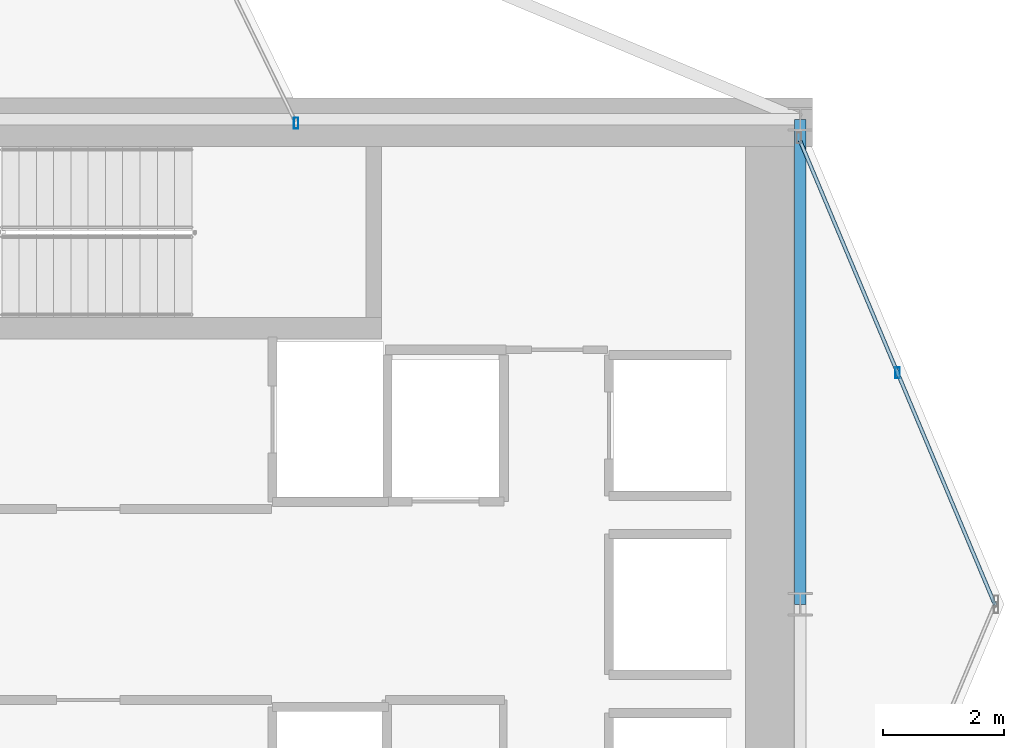
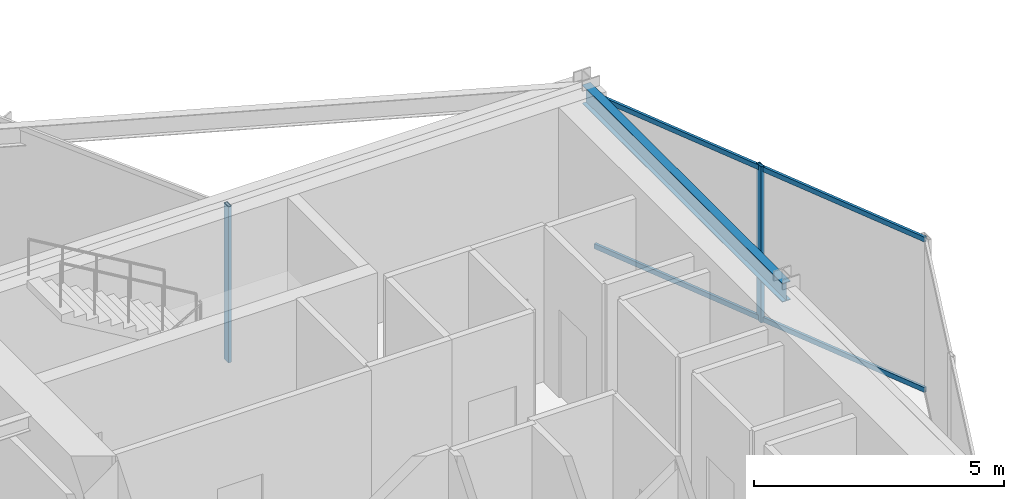
# One storey, part 14 of 24: 4 members, 1 beam, 2 elements without a shape of their own.
"""IFC4 building model written with IfcOpenShell, lengths in metres."""

import ifcopenshell
import ifcopenshell.guid

model = None  # the IFC model being written
_history = None  # IfcOwnerHistory: only IFC2X3 demands one
_inside = {}  # id of a spatial element -> (the spatial element, [elements in it])
_under = {}  # id of a project, library or spatial element -> (it, [spatial elements below it])
_declared = {}  # id of a project -> (the project, [libraries it declares])
_typed = {}  # id of a type object -> (the type object, [elements of that type])
_made_of = {}  # id of a material, layer set ... -> (it, [elements and type objects made of it])


def new_model(schema):
    """Start an empty IFC model of exactly this schema.

    Asked for "IFC4X3", IfcOpenShell would pick the latest addendum, in which some entities
    have other attributes; the version numbers below select the first issue.
    IFC2X3 requires an IfcOwnerHistory on every rooted entity: one is made here for all.
    """
    global model, _history
    if schema == "IFC4X3":
        model = ifcopenshell.file(schema_version=(4, 3, 0, 0))
    else:
        model = ifcopenshell.file(schema=schema)
    _inside.clear()
    _under.clear()
    _declared.clear()
    _typed.clear()
    _made_of.clear()
    _history = None
    if model.schema == "IFC2X3":
        org = make("IfcOrganization", Name="unknown")
        user = make(
            "IfcPersonAndOrganization",
            ThePerson=make("IfcPerson", FamilyName="unknown"),
            TheOrganization=org,
        )
        app = make(
            "IfcApplication",
            ApplicationDeveloper=org,
            Version="unknown",
            ApplicationFullName="unknown",
            ApplicationIdentifier="unknown",
        )
        _history = make(
            "IfcOwnerHistory",
            OwningUser=user,
            OwningApplication=app,
            ChangeAction="ADDED",
            CreationDate=0,
        )
    return model


def make(cls, **values):
    """One entity of the class cls with the attributes given. An attribute that is None is left unset."""
    return model.create_entity(
        cls, **{name: value for name, value in values.items() if value is not None}
    )


def rooted(cls, **values):
    """An entity with a GlobalId (a new one), such as an element, a storey or a relation."""
    return make(cls, GlobalId=ifcopenshell.guid.new(), OwnerHistory=_history, **values)


def si_unit(unit_type, name, prefix=None):
    """IfcSIUnit, for example si_unit("LENGTHUNIT", "METRE", prefix="MILLI")."""
    return make("IfcSIUnit", UnitType=unit_type, Prefix=prefix, Name=name)


def assignment(units):
    """IfcUnitAssignment: the units of a project."""
    return None if units is None else make("IfcUnitAssignment", Units=units)


def point(xyz):
    """IfcCartesianPoint."""
    return None if xyz is None else make("IfcCartesianPoint", Coordinates=xyz)


def direction(xyz):
    """IfcDirection."""
    return None if xyz is None else make("IfcDirection", DirectionRatios=xyz)


def frame(location, z_axis=None, x_axis=None):
    """IfcAxis2Placement3D, a coordinate frame: its origin and axes. An axis left out is left unset."""
    return make(
        "IfcAxis2Placement3D",
        Location=point(location),
        Axis=direction(z_axis),
        RefDirection=direction(x_axis),
    )


def frame_2d(location, x_axis=None):
    """IfcAxis2Placement2D, a coordinate frame in the plane: its origin and x axis."""
    return make(
        "IfcAxis2Placement2D", Location=point(location), RefDirection=direction(x_axis)
    )


def origin():
    """The frame at (0, 0, 0) with its axes left unset."""
    return frame((0.0, 0.0, 0.0))


def origin_2d():
    """The frame at (0, 0) in the plane with its x axis left unset."""
    return frame_2d((0.0, 0.0))


def place(relative_to, where):
    """IfcLocalPlacement: puts the frame where relative to a parent placement (None: the world)."""
    return make(
        "IfcLocalPlacement", PlacementRelTo=relative_to, RelativePlacement=where
    )


def context(
    kind, dimensions, precision=None, world=None, true_north=None, identifier=None
):
    """IfcGeometricRepresentationContext, for example the 3D "Model" context."""
    return make(
        "IfcGeometricRepresentationContext",
        ContextIdentifier=identifier,
        ContextType=kind,
        CoordinateSpaceDimension=dimensions,
        Precision=precision,
        WorldCoordinateSystem=world,
        TrueNorth=true_north,
    )


def subcontext(parent, identifier, kind, view, scale=None):
    """IfcGeometricRepresentationSubContext, for example "Body" below "Model"."""
    return make(
        "IfcGeometricRepresentationSubContext",
        ContextIdentifier=identifier,
        ContextType=kind,
        ParentContext=parent,
        TargetScale=scale,
        TargetView=view,
    )


def project(units=None, contexts=None):
    """IfcProject with its units and contexts."""
    return rooted(
        "IfcProject",
        Name="project",
        RepresentationContexts=contexts,
        UnitsInContext=assignment(units),
    )


def spatial(cls, under=None, at=None, **own):
    """A site, building, storey or space (cls), placed at a placement, below another one or the project."""
    s = rooted(cls, ObjectPlacement=at, **own)
    if under is not None:
        _under.setdefault(under.id(), (under, []))[1].append(s)
    return s


def profile(cls, at=None, kind="AREA", **sizes):
    """A parametric profile (cls). Its sizes go by their IFC names, for example OverallWidth=200.0."""
    return make(cls, ProfileType=kind, Position=at, **sizes)


def hollow_rectangle(**sizes):
    """IfcRectangleHollowProfileDef."""
    return profile("IfcRectangleHollowProfileDef", **sizes)


def i_section(**sizes):
    """IfcIShapeProfileDef."""
    return profile("IfcIShapeProfileDef", **sizes)


def extrude(swept, where, along, depth):
    """IfcExtrudedAreaSolid: the profile swept, set in the frame where, extruded along a direction by depth."""
    return make(
        "IfcExtrudedAreaSolid",
        SweptArea=swept,
        Position=where,
        ExtrudedDirection=direction(along),
        Depth=depth,
    )


def shape(context_of_items, identifier, shape_type, items):
    """IfcShapeRepresentation: the items that make up one representation, for example the "Body"."""
    return make(
        "IfcShapeRepresentation",
        ContextOfItems=context_of_items,
        RepresentationIdentifier=identifier,
        RepresentationType=shape_type,
        Items=items,
    )


def material(Name=None, Category=None):
    """IfcMaterial."""
    return make("IfcMaterial", Name=Name, Category=Category)


def layer(
    of_material, thickness, ventilated=None, Name=None, Category=None, Priority=None
):
    """IfcMaterialLayer: one layer of a wall or slab, of a material (None: an air gap)."""
    return make(
        "IfcMaterialLayer",
        Material=of_material,
        LayerThickness=thickness,
        IsVentilated=ventilated,
        Name=Name,
        Category=Category,
        Priority=Priority,
    )


def layer_set(layers, Name=None):
    """IfcMaterialLayerSet."""
    return make("IfcMaterialLayerSet", MaterialLayers=layers, LayerSetName=Name)


def material_profile(
    of_material, cross_section, Name=None, Category=None, Priority=None
):
    """IfcMaterialProfile: a cross section and its material."""
    return make(
        "IfcMaterialProfile",
        Name=Name,
        Material=of_material,
        Profile=cross_section,
        Priority=Priority,
        Category=Category,
    )


def profile_set(profiles, Name=None, composite=None):
    """IfcMaterialProfileSet."""
    return make(
        "IfcMaterialProfileSet",
        Name=Name,
        MaterialProfiles=profiles,
        CompositeProfile=composite,
    )


def made_of(thing, what):
    """Note that an element or type object is made of a material, layer set ...; save() writes the relation."""
    if what is not None:
        _made_of.setdefault(what.id(), (what, []))[1].append(thing)
    return thing


def type_object(cls, material=None, **own):
    """A type object (cls), such as IfcWallType, which elements share."""
    return made_of(rooted(cls, **own), material)


def element(
    cls,
    number,
    at=None,
    inside=None,
    cuts=None,
    type_object=None,
    material=None,
    context=None,
    identifier="Body",
    shape_type=None,
    held_by="IfcProductDefinitionShape",
    body=None,
    shapes=None,
    **own,
):
    """One element of the class cls, such as IfcWall. Its Tag is "e" and its number.

    at: its placement. inside: the storey or other place that contains it. cuts: it is an
    opening in that element (IfcRelVoidsElement). A single representation is given by context,
    identifier, shape_type and body (its items); several are given by shapes. held_by: the class
    of the entity that holds the representations. save() writes the other relations.
    """
    e = rooted(cls, Tag="e%d" % number, ObjectPlacement=at, **own)
    if body is not None:
        shapes = [shape(context, identifier, shape_type, body)]
    if shapes is not None:
        e.Representation = make(held_by, Representations=shapes)
    if inside is not None:
        _inside.setdefault(inside.id(), (inside, []))[1].append(e)
    if cuts is not None:
        rooted(
            "IfcRelVoidsElement", RelatingBuildingElement=cuts, RelatedOpeningElement=e
        )
    if type_object is not None:
        _typed.setdefault(type_object.id(), (type_object, []))[1].append(e)
    return made_of(e, material)


def aggregate(whole, parts):
    """IfcRelAggregates: a whole, such as a stair, and the parts it consists of."""
    return rooted("IfcRelAggregates", RelatingObject=whole, RelatedObjects=parts)


def save(model, path):
    """Write the relations noted so far, then the file.

    IfcRelAggregates (storeys below a building ...), IfcRelContainedInSpatialStructure (elements
    in a storey), IfcRelDefinesByType, IfcRelAssociatesMaterial and IfcRelDeclares: one each for
    every whole, place, type object, material and project.
    """
    for whole, parts in _under.values():
        aggregate(whole, parts)
    for where, things in _inside.values():
        rooted(
            "IfcRelContainedInSpatialStructure",
            RelatedElements=things,
            RelatingStructure=where,
        )
    for kind, things in _typed.values():
        rooted("IfcRelDefinesByType", RelatedObjects=things, RelatingType=kind)
    for what, things in _made_of.values():
        rooted("IfcRelAssociatesMaterial", RelatedObjects=things, RelatingMaterial=what)
    for by, libraries in _declared.values():
        rooted("IfcRelDeclares", RelatingContext=by, RelatedDefinitions=libraries)
    model.write(path)


model = new_model("IFC4")

# Units and contexts
model_context = context("Model", 3, precision=1e-05, world=origin(), true_north=direction((0.0, 1.0)))
body_context = subcontext(model_context, "Body", "Model", "MODEL_VIEW")
ifc_project = project(units=[si_unit("LENGTHUNIT", "METRE"), si_unit("AREAUNIT", "SQUARE_METRE"), si_unit("VOLUMEUNIT", "CUBIC_METRE"), si_unit("PLANEANGLEUNIT", "RADIAN"), si_unit("MASSUNIT", "GRAM", prefix="KILO")], contexts=[model_context])

# Site, building, storey
site_placement = place(None, origin())
site = spatial("IfcSite", under=ifc_project, at=site_placement, CompositionType="ELEMENT")
building_placement = place(site_placement, origin())
building = spatial("IfcBuilding", under=site, at=building_placement, Name="Veymaron Broadcast Tower", CompositionType="ELEMENT")
storey_placement = place(building_placement, frame((0.0, 0.0, 124.949951171875)))
storey = spatial("IfcBuildingStorey", under=building, at=storey_placement, Name="L28", CompositionType="ELEMENT", Elevation=124.949951171875)

# Beam
ifc_material_1 = material(Name="Structural steel ASTM A992 Gr 50", Category="steel")
ifc_material_profile_1 = material_profile(ifc_material_1, i_section(OverallWidth=0.19091796875, OverallDepth=0.4599609375, WebThickness=0.010009765625, FlangeThickness=0.01611328125, at=origin_2d()), Name="W460X82")
ifc_profile_set_1 = profile_set([ifc_material_profile_1], Name="Structural steel ASTM A992 Gr 50")
beam_type = type_object("IfcBeamType", Name="BM-SP1", PredefinedType="SPANDREL", material=ifc_profile_set_1)
beam_placement = place(storey_placement, frame((54.60009765625, 24.0, 3.580078125), z_axis=(0.0, 1.0, 0.0), x_axis=(-1.0, 0.0, 0.0)))
element("IfcBeam", 1, at=beam_placement, inside=storey, type_object=beam_type, Name="L28 primary structural floor girder", PredefinedType="SPANDREL", context=body_context, shape_type="SweptSolid", body=[
    extrude(i_section(OverallWidth=0.19091796875, OverallDepth=0.4599609375, WebThickness=0.010009765625, FlangeThickness=0.01611328125, at=origin_2d()), origin(), (0.0, 0.0, 1.0), 8.0),
])

# Curtain wall, member
ifc_material_2 = material(Name="Anodised aluminium AA 6063-T6 and laminated low-E dark glass", Category="aluminium")
ifc_layer = layer(ifc_material_2, 0.179931640625)
ifc_layer_set = layer_set([ifc_layer], Name="Anodised aluminium AA 6063-T6 and laminated low-E dark glass")
curtain_wall_type = type_object("IfcCurtainWallType", Name="CW-SYS-03", PredefinedType="NOTDEFINED", material=ifc_layer_set)
curtain_wall_1_placement = place(storey_placement, origin())
curtain_wall_1 = element("IfcCurtainWall", 2, at=curtain_wall_1_placement, inside=storey, type_object=curtain_wall_type, Name="L28 dark-glass curtain wall CW-L28-E3-1", PredefinedType="NOTDEFINED")
ifc_material_3 = material(Name="Anodised aluminium AA 6063-T6", Category="aluminium")
ifc_material_profile_2 = material_profile(ifc_material_3, hollow_rectangle(XDim=0.074951171875, YDim=0.179931640625, WallThickness=0.0048828125, at=origin_2d()), Name="AL180X75X5")
ifc_profile_set_2 = profile_set([ifc_material_profile_2], Name="Anodised aluminium AA 6063-T6")
member_type_1 = type_object("IfcMemberType", Name="CW-MUL-02", PredefinedType="MULLION", material=ifc_profile_set_2)
member_1_placement = place(storey_placement, frame((56.203857421875, 27.819580078125, 0.0), z_axis=(0.0, 0.0, 1.0), x_axis=(1.0, 0.0, 0.0)))
member_1 = element("IfcMember", 3, at=member_1_placement, type_object=member_type_1, Name="CW-L28-E3-1 mullion 1", PredefinedType="MULLION", context=body_context, shape_type="SweptSolid", body=[
    extrude(hollow_rectangle(XDim=0.074951171875, YDim=0.179931640625, WallThickness=0.0048828125, at=origin_2d()), origin(), (0.0, 0.0, 1.0), 3.81005859375),
])

curtain_wall_2_placement = place(storey_placement, origin())
curtain_wall_2 = element("IfcCurtainWall", 4, at=curtain_wall_2_placement, inside=storey, type_object=curtain_wall_type, Name="L28 dark-glass curtain wall CW-L28-E5-1", PredefinedType="NOTDEFINED")
member_2_placement = place(storey_placement, frame((46.284423828125, 31.938720703125, 0.0), z_axis=(0.0, 0.0, 1.0), x_axis=(1.0, 0.0, 0.0)))
member_2 = element("IfcMember", 5, at=member_2_placement, type_object=member_type_1, Name="CW-L28-E5-1 mullion 0", PredefinedType="MULLION", context=body_context, shape_type="SweptSolid", body=[
    extrude(hollow_rectangle(XDim=0.074951171875, YDim=0.179931640625, WallThickness=0.0048828125, at=origin_2d()), origin(), (0.0, 0.0, 1.0), 3.81005859375),
])
aggregate(curtain_wall_2, [member_2])

# Member
ifc_material_profile_3 = material_profile(ifc_material_3, hollow_rectangle(XDim=0.06005859375, YDim=0.1201171875, WallThickness=0.00390625, at=origin_2d()), Name="AL120X60X4")
ifc_profile_set_3 = profile_set([ifc_material_profile_3], Name="Anodised aluminium AA 6063-T6")
member_type_2 = type_object("IfcMemberType", Name="CW-TRN-02", PredefinedType="USERDEFINED", material=ifc_profile_set_3)
member_3_placement = place(storey_placement, frame((57.8115234375, 23.991943359375, 0.070068359375), z_axis=(-0.387223486805, 0.921985884527, 0.0), x_axis=(-0.921985884527, -0.387223486805, 0.0)))
member_3 = element("IfcMember", 6, at=member_3_placement, type_object=member_type_2, Name="CW-L28-E3-1 transom B", ObjectType="TRANSOM", PredefinedType="USERDEFINED", context=body_context, shape_type="SweptSolid", body=[
    extrude(hollow_rectangle(XDim=0.06005859375, YDim=0.1201171875, WallThickness=0.00390625, at=origin_2d()), origin(), (0.0, 0.0, 1.0), 8.303466796875),
])

member_4_placement = place(storey_placement, frame((57.8115234375, 23.991943359375, 3.739990234375), z_axis=(-0.387223486805, 0.921985884527, 0.0), x_axis=(-0.921985884527, -0.387223486805, 0.0)))
member_4 = element("IfcMember", 7, at=member_4_placement, type_object=member_type_2, Name="CW-L28-E3-1 transom T", ObjectType="TRANSOM", PredefinedType="USERDEFINED", context=body_context, shape_type="SweptSolid", body=[
    extrude(hollow_rectangle(XDim=0.06005859375, YDim=0.1201171875, WallThickness=0.00390625, at=origin_2d()), origin(), (0.0, 0.0, 1.0), 8.303466796875),
])

aggregate(curtain_wall_1, [member_1, member_3, member_4])

save(model, "model.ifc")
